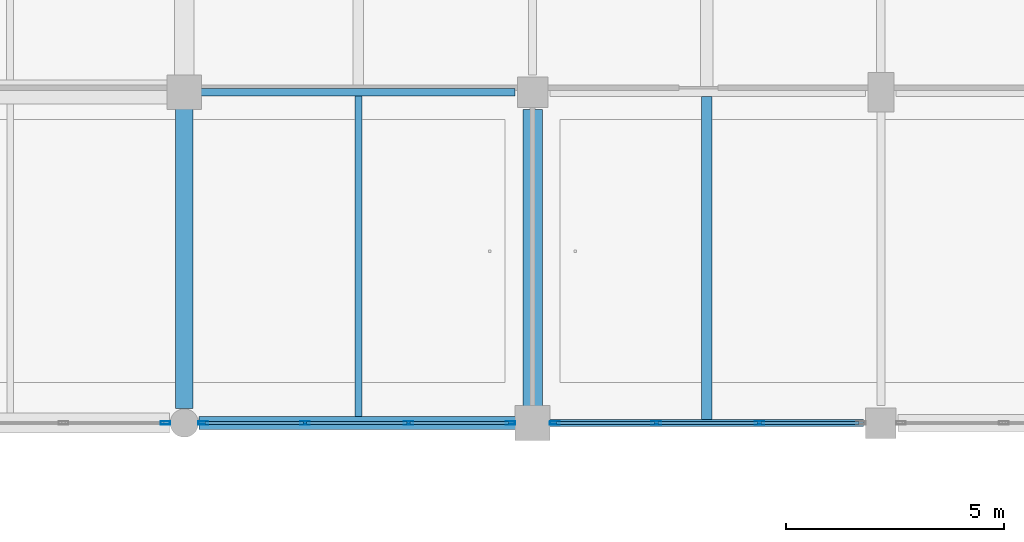
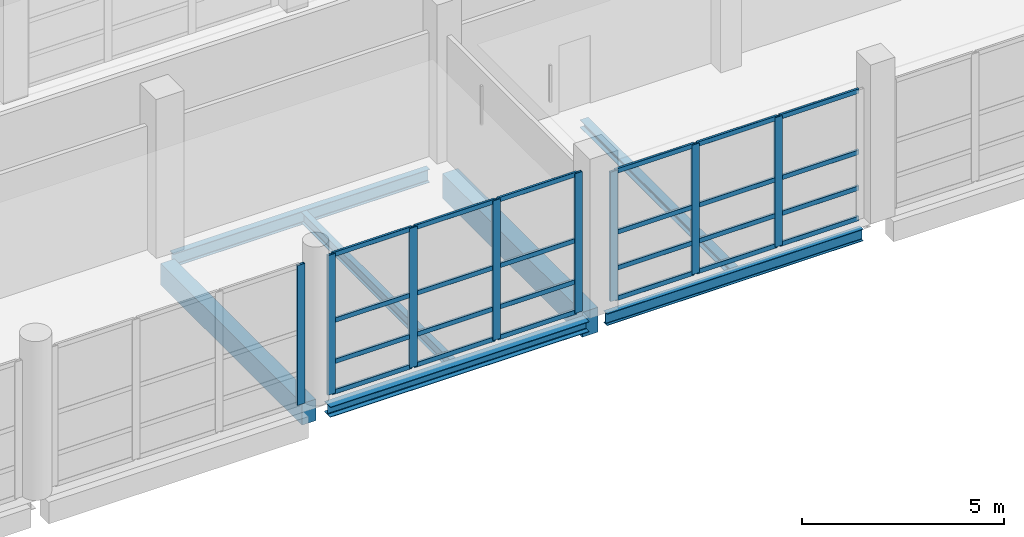
# One storey, part 31 of 141: 32 members, 7 beams, 3 elements without a shape of their own.
"""IFC4 building model written with IfcOpenShell, lengths in metres."""

from ifc_helpers import new_model, si_unit, direction, frame, origin, origin_2d, place, context, subcontext, project, spatial, rectangle, hollow_rectangle, i_section, extrude, material, material_profile, profile_set, type_object, element, aggregate, save


model = new_model("IFC4")

# Units and contexts
model_context = context("Model", 3, precision=1e-05, world=origin(), true_north=direction((0.0, 1.0)))
body_context = subcontext(model_context, "Body", "Model", "MODEL_VIEW")
ifc_project = project(units=[si_unit("LENGTHUNIT", "METRE"), si_unit("AREAUNIT", "SQUARE_METRE"), si_unit("VOLUMEUNIT", "CUBIC_METRE"), si_unit("PLANEANGLEUNIT", "RADIAN"), si_unit("MASSUNIT", "GRAM", prefix="KILO")], contexts=[model_context])

# Site, building, storey
site_placement = place(None, origin())
site = spatial("IfcSite", under=ifc_project, at=site_placement, CompositionType="ELEMENT")
building_placement = place(site_placement, origin())
building = spatial("IfcBuilding", under=site, at=building_placement, Name="Khelvaren Railside Concert Hall", CompositionType="ELEMENT")
storey_placement = place(building_placement, frame((0.0, 0.0, 10.199951171875)))
storey = spatial("IfcBuildingStorey", under=building, at=storey_placement, Name="L02", CompositionType="ELEMENT", Elevation=10.199951171875)

# Beams
ifc_material_1 = material(Name="Steel S355", Category="steel")
ifc_material_profile_1 = material_profile(ifc_material_1, i_section(OverallWidth=0.179931640625, OverallDepth=0.39990234375, WebThickness=0.008544921875, FlangeThickness=0.013427734375, FilletRadius=0.02099609375, at=origin_2d()), Name="IPE 400")
ifc_profile_set_1 = profile_set([ifc_material_profile_1], Name="Steel S355")
beam_type_1 = type_object("IfcBeamType", Name="BM29", PredefinedType="BEAM", material=ifc_profile_set_1)
beam_1_placement = place(storey_placement, frame((96.27294921875, 7.60009765625, -0.489990234375), z_axis=(1.0, 0.0, 0.0), x_axis=(0.0, 1.0, 0.0)))
element("IfcBeam", 1, at=beam_1_placement, inside=storey, type_object=beam_type_1, Name="V3 L02 Beam X2.5", PredefinedType="BEAM", context=body_context, shape_type="SweptSolid", body=[
    extrude(i_section(OverallWidth=0.179931640625, OverallDepth=0.39990234375, WebThickness=0.008544921875, FlangeThickness=0.013427734375, FilletRadius=0.02099609375, at=origin_2d()), origin(), (0.0, 0.0, 1.0), 7.3271484375),
])
ifc_material_2 = material(Name="Concrete C40/50", Category="concrete")
ifc_material_profile_2 = material_profile(ifc_material_2, rectangle(XDim=0.39990234375, YDim=0.64990234375, at=origin_2d()), Name="RCB 400x650")
ifc_profile_set_2 = profile_set([ifc_material_profile_2], Name="Concrete C40/50")
beam_type_2 = type_object("IfcBeamType", Name="BM33", PredefinedType="BEAM", material=ifc_profile_set_2)
beam_2_placement = place(storey_placement, frame((96.0, 0.3359375, -0.614990234375), z_axis=(0.0, 1.0, 0.0), x_axis=(-1.0, 0.0, 0.0)))
element("IfcBeam", 2, at=beam_2_placement, inside=storey, type_object=beam_type_2, Name="V3 L02 Beam Y5.1", PredefinedType="BEAM", context=body_context, shape_type="SweptSolid", body=[
    extrude(rectangle(XDim=0.39990234375, YDim=0.64990234375, at=origin_2d()), origin(), (0.0, 0.0, 1.0), 6.990966796875),
])
ifc_material_profile_3 = material_profile(ifc_material_2, rectangle(XDim=0.449951171875, YDim=0.75, at=origin_2d()), Name="RCB 450x750")
ifc_profile_set_3 = profile_set([ifc_material_profile_3], Name="Concrete C40/50")
beam_type_3 = type_object("IfcBeamType", Name="BM83", PredefinedType="BEAM", material=ifc_profile_set_3)
beam_3_placement = place(storey_placement, frame((104.0, 0.27294921875, -0.6650390625), z_axis=(0.0, 1.0, 0.0), x_axis=(-1.0, 0.0, 0.0)))
element("IfcBeam", 3, at=beam_3_placement, inside=storey, type_object=beam_type_3, Name="V3 L02 Beam Y6.1", PredefinedType="BEAM", context=body_context, shape_type="SweptSolid", body=[
    extrude(rectangle(XDim=0.449951171875, YDim=0.75, at=origin_2d()), origin(), (0.0, 0.0, 1.0), 6.927001953125),
])

# Curtain wall, member
ifc_material_3 = material(Name="Double-glazed clear foyer glass", Category="glass")
curtain_wall_type_1 = type_object("IfcCurtainWallType", Name="CW68", PredefinedType="USERDEFINED", material=ifc_material_3)
curtain_wall_1_placement = place(storey_placement, origin())
curtain_wall_1 = element("IfcCurtainWall", 4, at=curtain_wall_1_placement, inside=storey, type_object=curtain_wall_type_1, Name="Unitised Curtain Wall CW-V3-L02-S-88", ObjectType="UNITISED CURTAIN WALL", PredefinedType="USERDEFINED")
ifc_material_4 = material(Name="Anodised architectural aluminium 6063-T6", Category="aluminium")
ifc_material_profile_4 = material_profile(ifc_material_4, hollow_rectangle(XDim=0.074951171875, YDim=0.219970703125, WallThickness=0.0048828125, InnerFilletRadius=0.0029296875, OuterFilletRadius=0.0048828125, at=origin_2d()), Name="CWM 75x220x5")
ifc_profile_set_4 = profile_set([ifc_material_profile_4], Name="Anodised architectural aluminium 6063-T6")
member_type_1 = type_object("IfcMemberType", Name="CWM13", PredefinedType="MULLION", material=ifc_profile_set_4)
member_1_placement = place(storey_placement, frame((95.56494140625, 0.0, 0.0), z_axis=(0.0, 0.0, 1.0), x_axis=(0.0, -1.0, 0.0)))
member_1 = element("IfcMember", 5, at=member_1_placement, type_object=member_type_1, Name="CW68 mullion 1", PredefinedType="MULLION", context=body_context, shape_type="SweptSolid", body=[
    extrude(hollow_rectangle(XDim=0.074951171875, YDim=0.219970703125, WallThickness=0.0048828125, InnerFilletRadius=0.0029296875, OuterFilletRadius=0.0048828125, at=origin_2d()), origin(), (0.0, 0.0, 1.0), 4.219970703125),
])
aggregate(curtain_wall_1, [member_1])

# Curtain wall, members
curtain_wall_type_2 = type_object("IfcCurtainWallType", Name="CW70", PredefinedType="USERDEFINED", material=ifc_material_3)
curtain_wall_2_placement = place(storey_placement, origin())
curtain_wall_2 = element("IfcCurtainWall", 6, at=curtain_wall_2_placement, inside=storey, type_object=curtain_wall_type_2, Name="Unitised Curtain Wall CW-V3-L02-S-96", ObjectType="UNITISED CURTAIN WALL", PredefinedType="USERDEFINED")
member_2_placement = place(storey_placement, frame((103.489990234375, 0.0, 0.0), z_axis=(0.0, 0.0, 1.0), x_axis=(0.0, -1.0, 0.0)))
member_2 = element("IfcMember", 7, at=member_2_placement, type_object=member_type_1, Name="CW70 mullion 1", PredefinedType="MULLION", context=body_context, shape_type="SweptSolid", body=[
    extrude(hollow_rectangle(XDim=0.074951171875, YDim=0.219970703125, WallThickness=0.0048828125, InnerFilletRadius=0.0029296875, OuterFilletRadius=0.0048828125, at=origin_2d()), origin(), (0.0, 0.0, 1.0), 4.219970703125),
])
member_3_placement = place(storey_placement, frame((101.15087890625, 0.0, 0.0), z_axis=(0.0, 0.0, 1.0), x_axis=(0.0, -1.0, 0.0)))
member_3 = element("IfcMember", 8, at=member_3_placement, type_object=member_type_1, Name="CW70 mullion 2", PredefinedType="MULLION", context=body_context, shape_type="SweptSolid", body=[
    extrude(hollow_rectangle(XDim=0.074951171875, YDim=0.219970703125, WallThickness=0.0048828125, InnerFilletRadius=0.0029296875, OuterFilletRadius=0.0048828125, at=origin_2d()), origin(), (0.0, 0.0, 1.0), 4.219970703125),
])
member_4_placement = place(storey_placement, frame((98.774169921875, 0.0, 0.0), z_axis=(0.0, 0.0, 1.0), x_axis=(0.0, -1.0, 0.0)))
member_4 = element("IfcMember", 9, at=member_4_placement, type_object=member_type_1, Name="CW70 mullion 3", PredefinedType="MULLION", context=body_context, shape_type="SweptSolid", body=[
    extrude(hollow_rectangle(XDim=0.074951171875, YDim=0.219970703125, WallThickness=0.0048828125, InnerFilletRadius=0.0029296875, OuterFilletRadius=0.0048828125, at=origin_2d()), origin(), (0.0, 0.0, 1.0), 4.219970703125),
])
member_5_placement = place(storey_placement, frame((96.43505859375, 0.0, 0.0), z_axis=(0.0, 0.0, 1.0), x_axis=(0.0, -1.0, 0.0)))
member_5 = element("IfcMember", 10, at=member_5_placement, type_object=member_type_1, Name="CW70 mullion 4", PredefinedType="MULLION", context=body_context, shape_type="SweptSolid", body=[
    extrude(hollow_rectangle(XDim=0.074951171875, YDim=0.219970703125, WallThickness=0.0048828125, InnerFilletRadius=0.0029296875, OuterFilletRadius=0.0048828125, at=origin_2d()), origin(), (0.0, 0.0, 1.0), 4.219970703125),
])

curtain_wall_type_3 = type_object("IfcCurtainWallType", Name="CW83", PredefinedType="USERDEFINED", material=ifc_material_3)
curtain_wall_3_placement = place(storey_placement, origin())
curtain_wall_3 = element("IfcCurtainWall", 11, at=curtain_wall_3_placement, inside=storey, type_object=curtain_wall_type_3, Name="Unitised Curtain Wall CW-V3-L02-S-104", ObjectType="UNITISED CURTAIN WALL", PredefinedType="USERDEFINED")
member_6_placement = place(storey_placement, frame((109.209228515625, 0.0, 0.0), z_axis=(0.0, 0.0, 1.0), x_axis=(0.0, -1.0, 0.0)))
member_6 = element("IfcMember", 12, at=member_6_placement, type_object=member_type_1, Name="CW83 mullion 2", PredefinedType="MULLION", context=body_context, shape_type="SweptSolid", body=[
    extrude(hollow_rectangle(XDim=0.074951171875, YDim=0.219970703125, WallThickness=0.0048828125, InnerFilletRadius=0.0029296875, OuterFilletRadius=0.0048828125, at=origin_2d()), origin(), (0.0, 0.0, 1.0), 3.91015625),
])
member_7_placement = place(storey_placement, frame((106.8408203125, 0.0, 0.0), z_axis=(0.0, 0.0, 1.0), x_axis=(0.0, -1.0, 0.0)))
member_7 = element("IfcMember", 13, at=member_7_placement, type_object=member_type_1, Name="CW83 mullion 3", PredefinedType="MULLION", context=body_context, shape_type="SweptSolid", body=[
    extrude(hollow_rectangle(XDim=0.074951171875, YDim=0.219970703125, WallThickness=0.0048828125, InnerFilletRadius=0.0029296875, OuterFilletRadius=0.0048828125, at=origin_2d()), origin(), (0.0, 0.0, 1.0), 3.91015625),
])
member_8_placement = place(storey_placement, frame((104.510009765625, 0.0, 0.0), z_axis=(0.0, 0.0, 1.0), x_axis=(0.0, -1.0, 0.0)))
member_8 = element("IfcMember", 14, at=member_8_placement, type_object=member_type_1, Name="CW83 mullion 4", PredefinedType="MULLION", context=body_context, shape_type="SweptSolid", body=[
    extrude(hollow_rectangle(XDim=0.074951171875, YDim=0.219970703125, WallThickness=0.0048828125, InnerFilletRadius=0.0029296875, OuterFilletRadius=0.0048828125, at=origin_2d()), origin(), (0.0, 0.0, 1.0), 3.91015625),
])

# Member
ifc_material_profile_5 = material_profile(ifc_material_4, hollow_rectangle(XDim=0.06494140625, YDim=0.139892578125, WallThickness=0.00390625, InnerFilletRadius=0.001953125, OuterFilletRadius=0.00390625, at=origin_2d()), Name="CWT 65x140x4")
ifc_profile_set_5 = profile_set([ifc_material_profile_5], Name="Anodised architectural aluminium 6063-T6")
member_type_2 = type_object("IfcMemberType", Name="CWT72", PredefinedType="USERDEFINED", material=ifc_profile_set_5)
member_9_placement = place(storey_placement, frame((103.452392578125, 0.0, 0.032470703125), z_axis=(-1.0, 0.0, 0.0), x_axis=(0.0, -1.0, 0.0)))
member_9 = element("IfcMember", 15, at=member_9_placement, type_object=member_type_2, Name="CW70 transom 1.1", ObjectType="TRANSOM", PredefinedType="USERDEFINED", context=body_context, shape_type="SweptSolid", body=[
    extrude(hollow_rectangle(XDim=0.06494140625, YDim=0.139892578125, WallThickness=0.00390625, InnerFilletRadius=0.001953125, OuterFilletRadius=0.00390625, at=origin_2d()), origin(), (0.0, 0.0, 1.0), 2.26416015625),
])

member_10_placement = place(storey_placement, frame((103.452392578125, 0.0, 0.949951171875), z_axis=(-1.0, 0.0, 0.0), x_axis=(0.0, -1.0, 0.0)))
member_10 = element("IfcMember", 16, at=member_10_placement, type_object=member_type_2, Name="CW70 transom 1.2", ObjectType="TRANSOM", PredefinedType="USERDEFINED", context=body_context, shape_type="SweptSolid", body=[
    extrude(hollow_rectangle(XDim=0.06494140625, YDim=0.139892578125, WallThickness=0.00390625, InnerFilletRadius=0.001953125, OuterFilletRadius=0.00390625, at=origin_2d()), origin(), (0.0, 0.0, 1.0), 2.26416015625),
])

member_11_placement = place(storey_placement, frame((103.452392578125, 0.0, 2.1943359375), z_axis=(-1.0, 0.0, 0.0), x_axis=(0.0, -1.0, 0.0)))
member_11 = element("IfcMember", 17, at=member_11_placement, type_object=member_type_2, Name="CW70 transom 1.3", ObjectType="TRANSOM", PredefinedType="USERDEFINED", context=body_context, shape_type="SweptSolid", body=[
    extrude(hollow_rectangle(XDim=0.06494140625, YDim=0.139892578125, WallThickness=0.00390625, InnerFilletRadius=0.001953125, OuterFilletRadius=0.00390625, at=origin_2d()), origin(), (0.0, 0.0, 1.0), 2.26416015625),
])

member_12_placement = place(storey_placement, frame((103.452392578125, 0.0, 4.1875), z_axis=(-1.0, 0.0, 0.0), x_axis=(0.0, -1.0, 0.0)))
member_12 = element("IfcMember", 18, at=member_12_placement, type_object=member_type_2, Name="CW70 transom 1.4", ObjectType="TRANSOM", PredefinedType="USERDEFINED", context=body_context, shape_type="SweptSolid", body=[
    extrude(hollow_rectangle(XDim=0.06494140625, YDim=0.139892578125, WallThickness=0.00390625, InnerFilletRadius=0.001953125, OuterFilletRadius=0.00390625, at=origin_2d()), origin(), (0.0, 0.0, 1.0), 2.26416015625),
])

member_13_placement = place(storey_placement, frame((101.11328125, 0.0, 0.032470703125), z_axis=(-1.0, 0.0, 0.0), x_axis=(0.0, -1.0, 0.0)))
member_13 = element("IfcMember", 19, at=member_13_placement, type_object=member_type_2, Name="CW70 transom 2.1", ObjectType="TRANSOM", PredefinedType="USERDEFINED", context=body_context, shape_type="SweptSolid", body=[
    extrude(hollow_rectangle(XDim=0.06494140625, YDim=0.139892578125, WallThickness=0.00390625, InnerFilletRadius=0.001953125, OuterFilletRadius=0.00390625, at=origin_2d()), origin(), (0.0, 0.0, 1.0), 2.301513671875),
])

member_14_placement = place(storey_placement, frame((101.11328125, 0.0, 0.949951171875), z_axis=(-1.0, 0.0, 0.0), x_axis=(0.0, -1.0, 0.0)))
member_14 = element("IfcMember", 20, at=member_14_placement, type_object=member_type_2, Name="CW70 transom 2.2", ObjectType="TRANSOM", PredefinedType="USERDEFINED", context=body_context, shape_type="SweptSolid", body=[
    extrude(hollow_rectangle(XDim=0.06494140625, YDim=0.139892578125, WallThickness=0.00390625, InnerFilletRadius=0.001953125, OuterFilletRadius=0.00390625, at=origin_2d()), origin(), (0.0, 0.0, 1.0), 2.301513671875),
])

member_15_placement = place(storey_placement, frame((101.11328125, 0.0, 2.1943359375), z_axis=(-1.0, 0.0, 0.0), x_axis=(0.0, -1.0, 0.0)))
member_15 = element("IfcMember", 21, at=member_15_placement, type_object=member_type_2, Name="CW70 transom 2.3", ObjectType="TRANSOM", PredefinedType="USERDEFINED", context=body_context, shape_type="SweptSolid", body=[
    extrude(hollow_rectangle(XDim=0.06494140625, YDim=0.139892578125, WallThickness=0.00390625, InnerFilletRadius=0.001953125, OuterFilletRadius=0.00390625, at=origin_2d()), origin(), (0.0, 0.0, 1.0), 2.301513671875),
])

member_16_placement = place(storey_placement, frame((101.11328125, 0.0, 4.1875), z_axis=(-1.0, 0.0, 0.0), x_axis=(0.0, -1.0, 0.0)))
member_16 = element("IfcMember", 22, at=member_16_placement, type_object=member_type_2, Name="CW70 transom 2.4", ObjectType="TRANSOM", PredefinedType="USERDEFINED", context=body_context, shape_type="SweptSolid", body=[
    extrude(hollow_rectangle(XDim=0.06494140625, YDim=0.139892578125, WallThickness=0.00390625, InnerFilletRadius=0.001953125, OuterFilletRadius=0.00390625, at=origin_2d()), origin(), (0.0, 0.0, 1.0), 2.301513671875),
])

member_17_placement = place(storey_placement, frame((98.736572265625, 0.0, 0.032470703125), z_axis=(-1.0, 0.0, 0.0), x_axis=(0.0, -1.0, 0.0)))
member_17 = element("IfcMember", 23, at=member_17_placement, type_object=member_type_2, Name="CW70 transom 3.1", ObjectType="TRANSOM", PredefinedType="USERDEFINED", context=body_context, shape_type="SweptSolid", body=[
    extrude(hollow_rectangle(XDim=0.06494140625, YDim=0.139892578125, WallThickness=0.00390625, InnerFilletRadius=0.001953125, OuterFilletRadius=0.00390625, at=origin_2d()), origin(), (0.0, 0.0, 1.0), 2.26416015625),
])

member_18_placement = place(storey_placement, frame((98.736572265625, 0.0, 0.949951171875), z_axis=(-1.0, 0.0, 0.0), x_axis=(0.0, -1.0, 0.0)))
member_18 = element("IfcMember", 24, at=member_18_placement, type_object=member_type_2, Name="CW70 transom 3.2", ObjectType="TRANSOM", PredefinedType="USERDEFINED", context=body_context, shape_type="SweptSolid", body=[
    extrude(hollow_rectangle(XDim=0.06494140625, YDim=0.139892578125, WallThickness=0.00390625, InnerFilletRadius=0.001953125, OuterFilletRadius=0.00390625, at=origin_2d()), origin(), (0.0, 0.0, 1.0), 2.26416015625),
])

member_19_placement = place(storey_placement, frame((98.736572265625, 0.0, 2.1943359375), z_axis=(-1.0, 0.0, 0.0), x_axis=(0.0, -1.0, 0.0)))
member_19 = element("IfcMember", 25, at=member_19_placement, type_object=member_type_2, Name="CW70 transom 3.3", ObjectType="TRANSOM", PredefinedType="USERDEFINED", context=body_context, shape_type="SweptSolid", body=[
    extrude(hollow_rectangle(XDim=0.06494140625, YDim=0.139892578125, WallThickness=0.00390625, InnerFilletRadius=0.001953125, OuterFilletRadius=0.00390625, at=origin_2d()), origin(), (0.0, 0.0, 1.0), 2.26416015625),
])

member_20_placement = place(storey_placement, frame((98.736572265625, 0.0, 4.1875), z_axis=(-1.0, 0.0, 0.0), x_axis=(0.0, -1.0, 0.0)))
member_20 = element("IfcMember", 26, at=member_20_placement, type_object=member_type_2, Name="CW70 transom 3.4", ObjectType="TRANSOM", PredefinedType="USERDEFINED", context=body_context, shape_type="SweptSolid", body=[
    extrude(hollow_rectangle(XDim=0.06494140625, YDim=0.139892578125, WallThickness=0.00390625, InnerFilletRadius=0.001953125, OuterFilletRadius=0.00390625, at=origin_2d()), origin(), (0.0, 0.0, 1.0), 2.26416015625),
])

aggregate(curtain_wall_2, [member_2, member_3, member_4, member_5, member_9, member_10, member_11, member_12, member_13, member_14, member_15, member_16, member_17, member_18, member_19, member_20])

member_21_placement = place(storey_placement, frame((111.50244140625, 0.0, 0.032470703125), z_axis=(-1.0, 0.0, 0.0), x_axis=(0.0, -1.0, 0.0)))
member_21 = element("IfcMember", 27, at=member_21_placement, type_object=member_type_2, Name="CW83 transom 1.1", ObjectType="TRANSOM", PredefinedType="USERDEFINED", context=body_context, shape_type="SweptSolid", body=[
    extrude(hollow_rectangle(XDim=0.06494140625, YDim=0.139892578125, WallThickness=0.00390625, InnerFilletRadius=0.001953125, OuterFilletRadius=0.00390625, at=origin_2d()), origin(), (0.0, 0.0, 1.0), 2.255859375),
])

member_22_placement = place(storey_placement, frame((111.50244140625, 0.0, 0.949951171875), z_axis=(-1.0, 0.0, 0.0), x_axis=(0.0, -1.0, 0.0)))
member_22 = element("IfcMember", 28, at=member_22_placement, type_object=member_type_2, Name="CW83 transom 1.2", ObjectType="TRANSOM", PredefinedType="USERDEFINED", context=body_context, shape_type="SweptSolid", body=[
    extrude(hollow_rectangle(XDim=0.06494140625, YDim=0.139892578125, WallThickness=0.00390625, InnerFilletRadius=0.001953125, OuterFilletRadius=0.00390625, at=origin_2d()), origin(), (0.0, 0.0, 1.0), 2.255859375),
])

member_23_placement = place(storey_placement, frame((111.50244140625, 0.0, 2.033203125), z_axis=(-1.0, 0.0, 0.0), x_axis=(0.0, -1.0, 0.0)))
member_23 = element("IfcMember", 29, at=member_23_placement, type_object=member_type_2, Name="CW83 transom 1.3", ObjectType="TRANSOM", PredefinedType="USERDEFINED", context=body_context, shape_type="SweptSolid", body=[
    extrude(hollow_rectangle(XDim=0.06494140625, YDim=0.139892578125, WallThickness=0.00390625, InnerFilletRadius=0.001953125, OuterFilletRadius=0.00390625, at=origin_2d()), origin(), (0.0, 0.0, 1.0), 2.255859375),
])

member_24_placement = place(storey_placement, frame((111.50244140625, 0.0, 3.87744140625), z_axis=(-1.0, 0.0, 0.0), x_axis=(0.0, -1.0, 0.0)))
member_24 = element("IfcMember", 30, at=member_24_placement, type_object=member_type_2, Name="CW83 transom 1.4", ObjectType="TRANSOM", PredefinedType="USERDEFINED", context=body_context, shape_type="SweptSolid", body=[
    extrude(hollow_rectangle(XDim=0.06494140625, YDim=0.139892578125, WallThickness=0.00390625, InnerFilletRadius=0.001953125, OuterFilletRadius=0.00390625, at=origin_2d()), origin(), (0.0, 0.0, 1.0), 2.255859375),
])

member_25_placement = place(storey_placement, frame((109.171630859375, 0.0, 0.032470703125), z_axis=(-1.0, 0.0, 0.0), x_axis=(0.0, -1.0, 0.0)))
member_25 = element("IfcMember", 31, at=member_25_placement, type_object=member_type_2, Name="CW83 transom 2.1", ObjectType="TRANSOM", PredefinedType="USERDEFINED", context=body_context, shape_type="SweptSolid", body=[
    extrude(hollow_rectangle(XDim=0.06494140625, YDim=0.139892578125, WallThickness=0.00390625, InnerFilletRadius=0.001953125, OuterFilletRadius=0.00390625, at=origin_2d()), origin(), (0.0, 0.0, 1.0), 2.293212890625),
])

member_26_placement = place(storey_placement, frame((109.171630859375, 0.0, 0.949951171875), z_axis=(-1.0, 0.0, 0.0), x_axis=(0.0, -1.0, 0.0)))
member_26 = element("IfcMember", 32, at=member_26_placement, type_object=member_type_2, Name="CW83 transom 2.2", ObjectType="TRANSOM", PredefinedType="USERDEFINED", context=body_context, shape_type="SweptSolid", body=[
    extrude(hollow_rectangle(XDim=0.06494140625, YDim=0.139892578125, WallThickness=0.00390625, InnerFilletRadius=0.001953125, OuterFilletRadius=0.00390625, at=origin_2d()), origin(), (0.0, 0.0, 1.0), 2.293212890625),
])

member_27_placement = place(storey_placement, frame((109.171630859375, 0.0, 2.033203125), z_axis=(-1.0, 0.0, 0.0), x_axis=(0.0, -1.0, 0.0)))
member_27 = element("IfcMember", 33, at=member_27_placement, type_object=member_type_2, Name="CW83 transom 2.3", ObjectType="TRANSOM", PredefinedType="USERDEFINED", context=body_context, shape_type="SweptSolid", body=[
    extrude(hollow_rectangle(XDim=0.06494140625, YDim=0.139892578125, WallThickness=0.00390625, InnerFilletRadius=0.001953125, OuterFilletRadius=0.00390625, at=origin_2d()), origin(), (0.0, 0.0, 1.0), 2.293212890625),
])

member_28_placement = place(storey_placement, frame((109.171630859375, 0.0, 3.87744140625), z_axis=(-1.0, 0.0, 0.0), x_axis=(0.0, -1.0, 0.0)))
member_28 = element("IfcMember", 34, at=member_28_placement, type_object=member_type_2, Name="CW83 transom 2.4", ObjectType="TRANSOM", PredefinedType="USERDEFINED", context=body_context, shape_type="SweptSolid", body=[
    extrude(hollow_rectangle(XDim=0.06494140625, YDim=0.139892578125, WallThickness=0.00390625, InnerFilletRadius=0.001953125, OuterFilletRadius=0.00390625, at=origin_2d()), origin(), (0.0, 0.0, 1.0), 2.293212890625),
])

member_29_placement = place(storey_placement, frame((106.80322265625, 0.0, 0.032470703125), z_axis=(-1.0, 0.0, 0.0), x_axis=(0.0, -1.0, 0.0)))
member_29 = element("IfcMember", 35, at=member_29_placement, type_object=member_type_2, Name="CW83 transom 3.1", ObjectType="TRANSOM", PredefinedType="USERDEFINED", context=body_context, shape_type="SweptSolid", body=[
    extrude(hollow_rectangle(XDim=0.06494140625, YDim=0.139892578125, WallThickness=0.00390625, InnerFilletRadius=0.001953125, OuterFilletRadius=0.00390625, at=origin_2d()), origin(), (0.0, 0.0, 1.0), 2.255615234375),
])

member_30_placement = place(storey_placement, frame((106.80322265625, 0.0, 0.949951171875), z_axis=(-1.0, 0.0, 0.0), x_axis=(0.0, -1.0, 0.0)))
member_30 = element("IfcMember", 36, at=member_30_placement, type_object=member_type_2, Name="CW83 transom 3.2", ObjectType="TRANSOM", PredefinedType="USERDEFINED", context=body_context, shape_type="SweptSolid", body=[
    extrude(hollow_rectangle(XDim=0.06494140625, YDim=0.139892578125, WallThickness=0.00390625, InnerFilletRadius=0.001953125, OuterFilletRadius=0.00390625, at=origin_2d()), origin(), (0.0, 0.0, 1.0), 2.255615234375),
])

member_31_placement = place(storey_placement, frame((106.80322265625, 0.0, 2.033203125), z_axis=(-1.0, 0.0, 0.0), x_axis=(0.0, -1.0, 0.0)))
member_31 = element("IfcMember", 37, at=member_31_placement, type_object=member_type_2, Name="CW83 transom 3.3", ObjectType="TRANSOM", PredefinedType="USERDEFINED", context=body_context, shape_type="SweptSolid", body=[
    extrude(hollow_rectangle(XDim=0.06494140625, YDim=0.139892578125, WallThickness=0.00390625, InnerFilletRadius=0.001953125, OuterFilletRadius=0.00390625, at=origin_2d()), origin(), (0.0, 0.0, 1.0), 2.255615234375),
])

member_32_placement = place(storey_placement, frame((106.80322265625, 0.0, 3.87744140625), z_axis=(-1.0, 0.0, 0.0), x_axis=(0.0, -1.0, 0.0)))
member_32 = element("IfcMember", 38, at=member_32_placement, type_object=member_type_2, Name="CW83 transom 3.4", ObjectType="TRANSOM", PredefinedType="USERDEFINED", context=body_context, shape_type="SweptSolid", body=[
    extrude(hollow_rectangle(XDim=0.06494140625, YDim=0.139892578125, WallThickness=0.00390625, InnerFilletRadius=0.001953125, OuterFilletRadius=0.00390625, at=origin_2d()), origin(), (0.0, 0.0, 1.0), 2.255615234375),
])

aggregate(curtain_wall_3, [member_6, member_7, member_8, member_21, member_22, member_23, member_24, member_25, member_26, member_27, member_28, member_29, member_30, member_31, member_32])

# Beams
ifc_material_profile_6 = material_profile(ifc_material_1, i_section(OverallWidth=0.159912109375, OverallDepth=0.330078125, WebThickness=0.007568359375, FlangeThickness=0.011474609375, FilletRadius=0.01806640625, at=origin_2d()), Name="IPE 330")
ifc_profile_set_6 = profile_set([ifc_material_profile_6], Name="Steel S355")
beam_type_4 = type_object("IfcBeamType", Name="JS65", PredefinedType="JOIST", material=ifc_profile_set_6)
beam_4_placement = place(storey_placement, frame((100.0, 0.14990234375, -0.454833984375), z_axis=(0.0, 1.0, 0.0), x_axis=(-1.0, 0.0, 0.0)))
element("IfcBeam", 39, at=beam_4_placement, inside=storey, type_object=beam_type_4, Name="V3 L02 Secondary Joist 5.1", PredefinedType="JOIST", context=body_context, shape_type="SweptSolid", body=[
    extrude(i_section(OverallWidth=0.159912109375, OverallDepth=0.330078125, WebThickness=0.007568359375, FlangeThickness=0.011474609375, FilletRadius=0.01806640625, at=origin_2d()), origin(), (0.0, 0.0, 1.0), 7.360107421875),
])
ifc_material_profile_7 = material_profile(ifc_material_1, i_section(OverallWidth=0.239990234375, OverallDepth=0.22998046875, WebThickness=0.007568359375, FlangeThickness=0.011962890625, FilletRadius=0.02099609375, at=origin_2d()), Name="HEA 240")
ifc_profile_set_7 = profile_set([ifc_material_profile_7], Name="Steel S355")
beam_type_5 = type_object("IfcBeamType", Name="JS76", PredefinedType="JOIST", material=ifc_profile_set_7)
beam_5_placement = place(storey_placement, frame((108.0, 0.0849609375, -0.405029296875), z_axis=(0.0, 1.0, 0.0), x_axis=(-1.0, 0.0, 0.0)))
element("IfcBeam", 40, at=beam_5_placement, inside=storey, type_object=beam_type_5, Name="V3 L02 Secondary Joist 6.1", PredefinedType="JOIST", context=body_context, shape_type="SweptSolid", body=[
    extrude(i_section(OverallWidth=0.239990234375, OverallDepth=0.22998046875, WebThickness=0.007568359375, FlangeThickness=0.011962890625, FilletRadius=0.02099609375, at=origin_2d()), origin(), (0.0, 0.0, 1.0), 7.419921875),
])
ifc_material_profile_8 = material_profile(ifc_material_1, i_section(OverallWidth=0.300048828125, OverallDepth=0.31005859375, WebThickness=0.009033203125, FlangeThickness=0.015380859375, FilletRadius=0.027099609375, at=origin_2d()), Name="HEA 320")
ifc_profile_set_8 = profile_set([ifc_material_profile_8], Name="Steel S355")
beam_type_6 = type_object("IfcBeamType", Name="SP66", PredefinedType="SPANDREL", material=ifc_profile_set_8)
beam_6_placement = place(storey_placement, frame((96.3359375, 0.0, -0.445068359375), z_axis=(1.0, 0.0, 0.0), x_axis=(0.0, 1.0, 0.0)))
element("IfcBeam", 41, at=beam_6_placement, inside=storey, type_object=beam_type_6, Name="V3 L02 Spandrel X1.5", PredefinedType="SPANDREL", context=body_context, shape_type="SweptSolid", body=[
    extrude(i_section(OverallWidth=0.300048828125, OverallDepth=0.31005859375, WebThickness=0.009033203125, FlangeThickness=0.015380859375, FilletRadius=0.027099609375, at=origin_2d()), origin(), (0.0, 0.0, 1.0), 7.39111328125),
])
ifc_material_profile_9 = material_profile(ifc_material_1, i_section(OverallWidth=0.169921875, OverallDepth=0.360107421875, WebThickness=0.008056640625, FlangeThickness=0.0126953125, FilletRadius=0.01806640625, at=origin_2d()), Name="IPE 360")
ifc_profile_set_9 = profile_set([ifc_material_profile_9], Name="Steel S355")
beam_type_7 = type_object("IfcBeamType", Name="SP74", PredefinedType="SPANDREL", material=ifc_profile_set_9)
beam_7_placement = place(storey_placement, frame((104.27294921875, 0.0, -0.469970703125), z_axis=(1.0, 0.0, 0.0), x_axis=(0.0, 1.0, 0.0)))
element("IfcBeam", 42, at=beam_7_placement, inside=storey, type_object=beam_type_7, Name="V3 L02 Spandrel X1.6", PredefinedType="SPANDREL", context=body_context, shape_type="SweptSolid", body=[
    extrude(i_section(OverallWidth=0.169921875, OverallDepth=0.360107421875, WebThickness=0.008056640625, FlangeThickness=0.0126953125, FilletRadius=0.01806640625, at=origin_2d()), origin(), (0.0, 0.0, 1.0), 7.3271484375),
])

save(model, "model.ifc")
